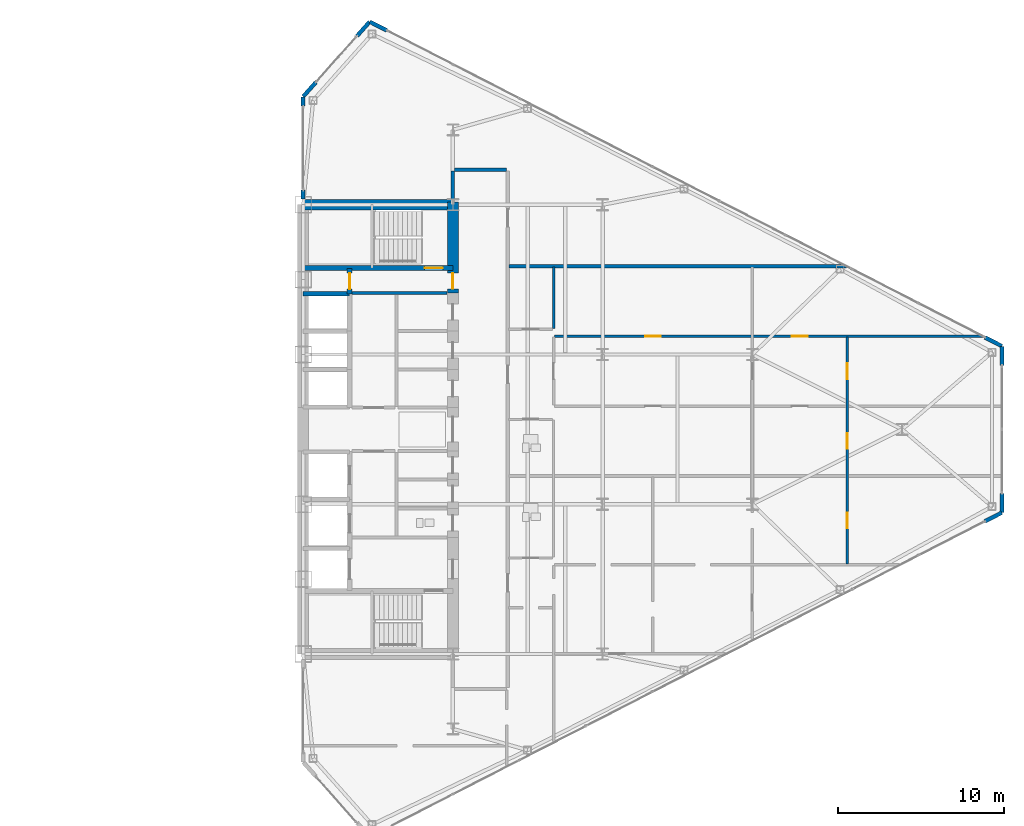
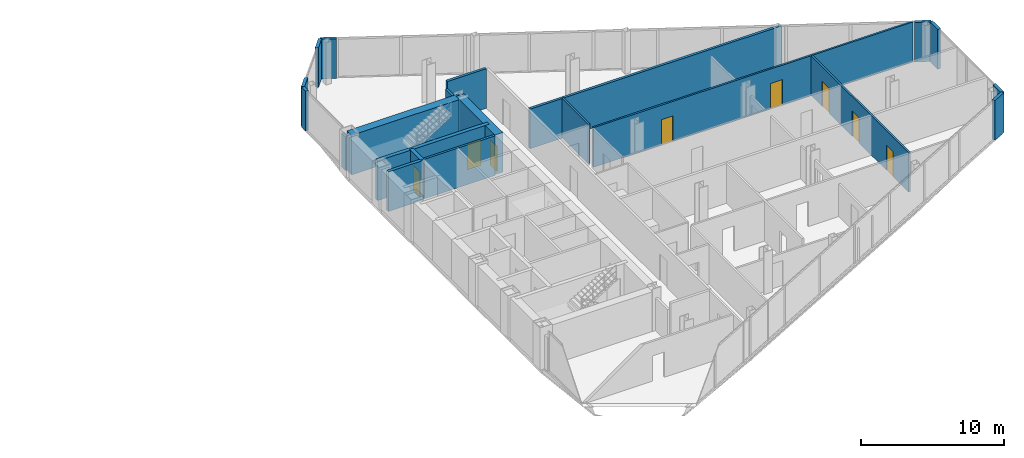
# One storey, part 21 of 24: 21 walls, 8 doors, 8 openings.
"""IFC4 building model written with IfcOpenShell, lengths in metres."""

from ifc_helpers import new_model, si_unit, direction, frame, frame_2d, origin, place, context, subcontext, project, spatial, rectangle, extrude, source, transform, mapped, material, layer, layer_set, type_object, type_shapes, element, fill, save


model = new_model("IFC4")

# Units and contexts
model_context = context("Model", 3, precision=1e-05, world=origin(), true_north=direction((0.0, 1.0)))
body_context = subcontext(model_context, "Body", "Model", "MODEL_VIEW")
ifc_project = project(units=[si_unit("LENGTHUNIT", "METRE"), si_unit("AREAUNIT", "SQUARE_METRE"), si_unit("VOLUMEUNIT", "CUBIC_METRE"), si_unit("PLANEANGLEUNIT", "RADIAN"), si_unit("MASSUNIT", "GRAM", prefix="KILO")], contexts=[model_context])

# Site, building, storey
site_placement = place(None, origin())
site = spatial("IfcSite", under=ifc_project, at=site_placement, CompositionType="ELEMENT")
building_placement = place(site_placement, origin())
building = spatial("IfcBuilding", under=site, at=building_placement, Name="Seokmaru Belvedere", CompositionType="ELEMENT")
storey_placement = place(building_placement, frame((0.0, 0.0, 121.199951171875)))
storey = spatial("IfcBuildingStorey", under=building, at=storey_placement, Name="L32", CompositionType="ELEMENT", Elevation=121.199951171875)

# Wall, openings, doors
ifc_material_1 = material(Name="Fire-Rated Gypsum Shaftwall")
ifc_layer_1 = layer(ifc_material_1, 0.14990234375)
ifc_layer_set_1 = layer_set([ifc_layer_1], Name="Fire-Rated Gypsum Shaftwall")
wall_type_1 = type_object("IfcWallType", Name="Apartment Fire-Acoustic Room Partition 150", PredefinedType="PARTITIONING", material=ifc_layer_set_1)
wall_1_placement = place(storey_placement, frame((42.60009765625, 5.60009765625, 0.0), z_axis=(0.0, 0.0, 1.0), x_axis=(1.0, 0.0, 0.0)))
wall_1 = element("IfcWall", 1, at=wall_1_placement, inside=storey, type_object=wall_type_1, Name="L32 Interior Partition 017", PredefinedType="PARTITIONING", context=body_context, shape_type="SweptSolid", body=[
    extrude(rectangle(XDim=25.765869140625, YDim=0.14990234375, at=frame_2d((12.8828125, 0.0))), origin(), (0.0, 0.0, 1.0), 3.380126953125),
])
opening_1_placement = place(wall_1_placement, frame((5.449951171875, 0.0, 0.0)))
opening_1 = element("IfcOpeningElement", 2, at=opening_1_placement, cuts=wall_1, Name="Opening D05", PredefinedType="OPENING", context=body_context, shape_type="SweptSolid", body=[
    extrude(rectangle(XDim=0.949951171875, YDim=2.14990234375, at=frame_2d((0.47509765625, 1.074951171875))), frame((0.0, 0.0849609375, 0.0), z_axis=(0.0, -1.0, 0.0), x_axis=(1.0, 0.0, 0.0)), (0.0, 0.0, 1.0), 0.169921875),
])
opening_2_placement = place(wall_1_placement, frame((14.27490234375, 0.0, 0.0)))
opening_2 = element("IfcOpeningElement", 3, at=opening_2_placement, cuts=wall_1, Name="Opening D05", PredefinedType="OPENING", context=body_context, shape_type="SweptSolid", body=[
    extrude(rectangle(XDim=0.949951171875, YDim=2.14990234375, at=frame_2d((0.47509765625, 1.074951171875))), frame((0.0, 0.0849609375, 0.0), z_axis=(0.0, -1.0, 0.0), x_axis=(1.0, 0.0, 0.0)), (0.0, 0.0, 1.0), 0.169921875),
])
ifc_material_2 = material(Name="Engineered White Oak Timber", Category="wood")
door_type_1 = type_object("IfcDoorType", Name="Apartment Interior Fire-Rated Oak Door 950x2150", OperationType="NOTDEFINED", PredefinedType="DOOR", material=ifc_material_2)
shared_shape_1 = source(origin(), body_context, "Body", "SweptSolid", [
    extrude(rectangle(XDim=0.949951171875, YDim=2.14990234375, at=frame_2d((0.47509765625, 1.074951171875))), frame((0.0, 0.02490234375, 0.0), z_axis=(0.0, -1.0, 0.0), x_axis=(1.0, 0.0, 0.0)), (0.0, 0.0, 1.0), 0.050048828125),
])
type_shapes(door_type_1, [shared_shape_1])
door_1_placement = place(opening_1_placement, origin())
door_1 = element("IfcDoor", 4, at=door_1_placement, inside=storey, type_object=door_type_1, Name="L32 Interior Door 048", OperationType="SINGLE_SWING_LEFT", OverallHeight=2.14990234375, OverallWidth=0.949951171875, PredefinedType="DOOR", context=body_context, shape_type="MappedRepresentation", body=[
    mapped(shared_shape_1, transform((0.0, 0.0, 0.0), scale=1.0)),
])
fill(opening_1, door_1)
door_2_placement = place(opening_2_placement, origin())
door_2 = element("IfcDoor", 5, at=door_2_placement, inside=storey, type_object=door_type_1, Name="L32 Interior Door 052", OperationType="SINGLE_SWING_LEFT", OverallHeight=2.14990234375, OverallWidth=0.949951171875, PredefinedType="DOOR", context=body_context, shape_type="MappedRepresentation", body=[
    mapped(shared_shape_1, transform((0.0, 0.0, 0.0), scale=1.0)),
])
fill(opening_2, door_2)

# Wall
wall_2_placement = place(storey_placement, frame((42.550048828125, 6.072021484375, 0.0), z_axis=(0.0, 0.0, 1.0), x_axis=(0.0, 1.0, 0.0)))
element("IfcWall", 6, at=wall_2_placement, inside=storey, type_object=wall_type_1, Name="L32 Interior Partition 044", PredefinedType="PARTITIONING", context=body_context, shape_type="SweptSolid", body=[
    extrude(rectangle(XDim=3.677978515625, YDim=0.14990234375, at=frame_2d((1.8388671875, 0.0))), origin(), (0.0, 0.0, 1.0), 3.380126953125),
])

# Wall, openings, doors
wall_3_placement = place(storey_placement, frame((60.199951171875, -8.093017578125, 0.0), z_axis=(0.0, 0.0, 1.0), x_axis=(0.0, 1.0, 0.0)))
wall_3 = element("IfcWall", 7, at=wall_3_placement, inside=storey, type_object=wall_type_1, Name="L32 Interior Partition 047", PredefinedType="PARTITIONING", context=body_context, shape_type="SweptSolid", body=[
    extrude(rectangle(XDim=13.64306640625, YDim=0.14990234375, at=frame_2d((6.821533203125, 0.0))), origin(), (0.0, 0.0, 1.0), 3.380126953125),
])
opening_3_placement = place(wall_3_placement, frame((2.146484375, 0.0, 0.0)))
opening_3 = element("IfcOpeningElement", 8, at=opening_3_placement, cuts=wall_3, Name="Opening D05", PredefinedType="OPENING", context=body_context, shape_type="SweptSolid", body=[
    extrude(rectangle(XDim=0.949951171875, YDim=2.14990234375, at=frame_2d((0.47509765625, 1.074951171875))), frame((0.0, 0.0849609375, 0.0), z_axis=(0.0, -1.0, 0.0), x_axis=(1.0, 0.0, 0.0)), (0.0, 0.0, 1.0), 0.169921875),
])
opening_4_placement = place(wall_3_placement, frame((6.91796875, 0.0, 0.0)))
opening_4 = element("IfcOpeningElement", 9, at=opening_4_placement, cuts=wall_3, Name="Opening D05", PredefinedType="OPENING", context=body_context, shape_type="SweptSolid", body=[
    extrude(rectangle(XDim=0.949951171875, YDim=2.14990234375, at=frame_2d((0.47509765625, 1.074951171875))), frame((0.0, 0.0849609375, 0.0), z_axis=(0.0, -1.0, 0.0), x_axis=(1.0, 0.0, 0.0)), (0.0, 0.0, 1.0), 0.169921875),
])
opening_5_placement = place(wall_3_placement, frame((11.117919921875, 0.0, 0.0)))
opening_5 = element("IfcOpeningElement", 10, at=opening_5_placement, cuts=wall_3, Name="Opening D05", PredefinedType="OPENING", context=body_context, shape_type="SweptSolid", body=[
    extrude(rectangle(XDim=0.949951171875, YDim=2.14990234375, at=frame_2d((0.47509765625, 1.074951171875))), frame((0.0, 0.0849609375, 0.0), z_axis=(0.0, -1.0, 0.0), x_axis=(1.0, 0.0, 0.0)), (0.0, 0.0, 1.0), 0.169921875),
])
door_3_placement = place(opening_3_placement, origin())
door_3 = element("IfcDoor", 11, at=door_3_placement, inside=storey, type_object=door_type_1, Name="L32 Interior Door 039", OperationType="SINGLE_SWING_LEFT", OverallHeight=2.14990234375, OverallWidth=0.949951171875, PredefinedType="DOOR", context=body_context, shape_type="MappedRepresentation", body=[
    mapped(shared_shape_1, transform((0.0, 0.0, 0.0), scale=1.0)),
])
fill(opening_3, door_3)
door_4_placement = place(opening_4_placement, origin())
door_4 = element("IfcDoor", 12, at=door_4_placement, inside=storey, type_object=door_type_1, Name="L32 Interior Door 050", OperationType="SINGLE_SWING_LEFT", OverallHeight=2.14990234375, OverallWidth=0.949951171875, PredefinedType="DOOR", context=body_context, shape_type="MappedRepresentation", body=[
    mapped(shared_shape_1, transform((0.0, 0.0, 0.0), scale=1.0)),
])
fill(opening_4, door_4)
door_5_placement = place(opening_5_placement, origin())
door_5 = element("IfcDoor", 13, at=door_5_placement, inside=storey, type_object=door_type_1, Name="L32 Interior Door 051", OperationType="SINGLE_SWING_LEFT", OverallHeight=2.14990234375, OverallWidth=0.949951171875, PredefinedType="DOOR", context=body_context, shape_type="MappedRepresentation", body=[
    mapped(shared_shape_1, transform((0.0, 0.0, 0.0), scale=1.0)),
])
fill(opening_5, door_5)

# Walls
ifc_layer_2 = layer(ifc_material_1, 0.179931640625)
ifc_layer_set_2 = layer_set([ifc_layer_2], Name="Fire-Rated Gypsum Shaftwall")
wall_type_2 = type_object("IfcWallType", Name="Core Service Fire Partition 180", PredefinedType="PARTITIONING", material=ifc_layer_set_2)
wall_4_placement = place(storey_placement, frame((30.449951171875, 8.199951171875, 0.0), z_axis=(0.0, 0.0, 1.0), x_axis=(1.0, 0.0, 0.0)))
element("IfcWall", 14, at=wall_4_placement, inside=storey, type_object=wall_type_2, Name="L32 East Smokeproof Vestibule Partition", PredefinedType="PARTITIONING", context=body_context, shape_type="SweptSolid", body=[
    extrude(rectangle(XDim=5.699951171875, YDim=0.179931640625, at=frame_2d((2.85009765625, 0.0))), origin(), (0.0, 0.0, 1.0), 3.380126953125),
])
ifc_material_3 = material(Name="Concrete C50 (50 MPa)", Category="concrete")
ifc_layer_3 = layer(ifc_material_3, 0.25)
ifc_layer_set_3 = layer_set([ifc_layer_3], Name="Concrete C50 (50 MPa)")
wall_type_3 = type_object("IfcWallType", Name="Hoistway Transverse Concrete Divider Wall 250", PredefinedType="SHEAR", material=ifc_layer_set_3)
wall_5_placement = place(storey_placement, frame((27.5, 8.14990234375, 0.0), z_axis=(0.0, 0.0, 1.0), x_axis=(1.0, 0.0, 0.0)))
element("IfcWall", 15, at=wall_5_placement, inside=storey, type_object=wall_type_3, Name="L32 East Hoistway Divider Core Wall 7", PredefinedType="SHEAR", context=body_context, shape_type="SweptSolid", body=[
    extrude(rectangle(XDim=2.800048828125, YDim=0.25, at=frame_2d((1.39990234375, 0.0))), origin(), (0.0, 0.0, 1.0), 3.380126953125),
])
ifc_layer_4 = layer(ifc_material_1, 0.199951171875)
ifc_layer_set_4 = layer_set([ifc_layer_4], Name="Fire-Rated Gypsum Shaftwall")
wall_type_4 = type_object("IfcWallType", Name="Inter-Tenancy Fire Compartment Partition 200", PredefinedType="PARTITIONING", material=ifc_layer_set_4)
wall_6_placement = place(storey_placement, frame((39.8798828125, 9.800048828125, 0.0), z_axis=(0.0, 0.0, 1.0), x_axis=(1.0, 0.0, 0.0)))
element("IfcWall", 16, at=wall_6_placement, inside=storey, type_object=wall_type_4, Name="L32 Interior Partition 021", PredefinedType="PARTITIONING", context=body_context, shape_type="SweptSolid", body=[
    extrude(rectangle(XDim=20.277099609375, YDim=0.199951171875, at=frame_2d((10.138671875, 0.0))), origin(), (0.0, 0.0, 1.0), 3.380126953125),
])
wall_7_placement = place(storey_placement, frame((36.5849609375, 15.60009765625, 0.0), z_axis=(0.0, 0.0, 1.0), x_axis=(1.0, 0.0, 0.0)))
element("IfcWall", 17, at=wall_7_placement, inside=storey, type_object=wall_type_4, Name="L32 Interior Partition 025", PredefinedType="PARTITIONING", context=body_context, shape_type="SweptSolid", body=[
    extrude(rectangle(XDim=3.130126953125, YDim=0.199951171875, at=frame_2d((1.56494140625, 0.0))), origin(), (0.0, 0.0, 1.0), 3.380126953125),
])
wall_8_placement = place(storey_placement, frame((36.5, 13.830078125, 0.0), z_axis=(0.0, 0.0, 1.0), x_axis=(0.0, 1.0, 0.0)))
element("IfcWall", 18, at=wall_8_placement, inside=storey, type_object=wall_type_4, Name="L32 Interior Partition 038", PredefinedType="PARTITIONING", context=body_context, shape_type="SweptSolid", body=[
    extrude(rectangle(XDim=1.684814453125, YDim=0.199951171875, at=frame_2d((0.84228515625, 0.0))), origin(), (0.0, 0.0, 1.0), 2.780029296875),
])

# Wall, opening, door
ifc_layer_5 = layer(ifc_material_3, 0.300048828125)
ifc_layer_set_5 = layer_set([ifc_layer_5], Name="Concrete C50 (50 MPa)")
wall_type_5 = type_object("IfcWallType", Name="Internal Core Stair and Hoistway Wall 300", PredefinedType="SHEAR", material=ifc_layer_set_5)
wall_9_placement = place(storey_placement, frame((27.5, 9.699951171875, 0.0), z_axis=(0.0, 0.0, 1.0), x_axis=(1.0, 0.0, 0.0)))
wall_9 = element("IfcWall", 19, at=wall_9_placement, inside=storey, type_object=wall_type_5, Name="L32 East Stair ST-2 Enclosure Wall", PredefinedType="SHEAR", context=body_context, shape_type="SweptSolid", body=[
    extrude(rectangle(XDim=9.0, YDim=0.300048828125, at=frame_2d((4.5, 0.0))), origin(), (0.0, 0.0, 1.0), 3.380126953125),
])
opening_6_placement = place(wall_9_placement, frame((7.300048828125, 0.0, 0.0)))
opening_6 = element("IfcOpeningElement", 20, at=opening_6_placement, cuts=wall_9, Name="Opening D01", PredefinedType="OPENING", context=body_context, shape_type="SweptSolid", body=[
    extrude(rectangle(XDim=1.10009765625, YDim=2.199951171875, at=frame_2d((0.550048828125, 1.10009765625))), frame((0.0, 0.16015625, 0.0), z_axis=(0.0, -1.0, 0.0), x_axis=(1.0, 0.0, 0.0)), (0.0, 0.0, 1.0), 0.320068359375),
])
ifc_material_4 = material(Name="Fire-Rated Steel Leaf", Category="steel")
door_type_2 = type_object("IfcDoorType", Name="Special Escape Stair Smokeproof Fire Door 1100x2200", OperationType="NOTDEFINED", PredefinedType="DOOR", material=ifc_material_4)
shared_shape_2 = source(origin(), body_context, "Body", "SweptSolid", [
    extrude(rectangle(XDim=1.10009765625, YDim=2.199951171875, at=frame_2d((0.550048828125, 1.10009765625))), frame((0.0, 0.02490234375, 0.0), z_axis=(0.0, -1.0, 0.0), x_axis=(1.0, 0.0, 0.0)), (0.0, 0.0, 1.0), 0.050048828125),
])
type_shapes(door_type_2, [shared_shape_2])
door_6_placement = place(opening_6_placement, origin())
door_6 = element("IfcDoor", 21, at=door_6_placement, inside=storey, type_object=door_type_2, Name="L32 East Special Escape Stair ST-2 Door", OperationType="SINGLE_SWING_LEFT", OverallHeight=2.199951171875, OverallWidth=1.10009765625, PredefinedType="DOOR", context=body_context, shape_type="MappedRepresentation", body=[
    mapped(shared_shape_2, transform((0.0, 0.0, 0.0), scale=1.0)),
])
fill(opening_6, door_6)

wall_10_placement = place(storey_placement, frame((30.300048828125, 8.14990234375, 0.0), z_axis=(0.0, 0.0, 1.0), x_axis=(0.0, 1.0, 0.0)))
wall_10 = element("IfcWall", 22, at=wall_10_placement, inside=storey, type_object=wall_type_5, Name="L32 East Electrical Riser Front Wall", PredefinedType="SHEAR", context=body_context, shape_type="SweptSolid", body=[
    extrude(rectangle(XDim=1.530029296875, YDim=0.300048828125, at=frame_2d((0.76513671875, 0.0))), origin(), (0.0, 0.0, 1.0), 3.380126953125),
])
opening_7_placement = place(wall_10_placement, frame((0.284912109375, 0.0, 0.0)))
opening_7 = element("IfcOpeningElement", 23, at=opening_7_placement, cuts=wall_10, Name="Opening D04", PredefinedType="OPENING", context=body_context, shape_type="SweptSolid", body=[
    extrude(rectangle(XDim=0.949951171875, YDim=2.14990234375, at=frame_2d((0.47509765625, 1.074951171875))), frame((0.0, 0.16015625, 0.0), z_axis=(0.0, -1.0, 0.0), x_axis=(1.0, 0.0, 0.0)), (0.0, 0.0, 1.0), 0.320068359375),
])
door_type_3 = type_object("IfcDoorType", Name="Core Service Room Fire Door 950x2150", OperationType="NOTDEFINED", PredefinedType="DOOR", material=ifc_material_4)
shared_shape_3 = source(origin(), body_context, "Body", "SweptSolid", [
    extrude(rectangle(XDim=0.949951171875, YDim=2.14990234375, at=frame_2d((0.47509765625, 1.074951171875))), frame((0.0, 0.02490234375, 0.0), z_axis=(0.0, -1.0, 0.0), x_axis=(1.0, 0.0, 0.0)), (0.0, 0.0, 1.0), 0.050048828125),
])
type_shapes(door_type_3, [shared_shape_3])
door_7_placement = place(opening_7_placement, origin())
door_7 = element("IfcDoor", 24, at=door_7_placement, inside=storey, type_object=door_type_3, Name="L32 East Electrical Riser Access Door", OperationType="SINGLE_SWING_RIGHT", OverallHeight=2.14990234375, OverallWidth=0.949951171875, PredefinedType="DOOR", context=body_context, shape_type="MappedRepresentation", body=[
    mapped(shared_shape_3, transform((0.0, 0.0, 0.0), scale=1.0)),
])
fill(opening_7, door_7)

# Wall
ifc_material_5 = material(Name="Concrete C60 (60 MPa)", Category="concrete")
ifc_layer_6 = layer(ifc_material_5, 0.64990234375)
ifc_layer_set_6 = layer_set([ifc_layer_6], Name="Concrete C60 (60 MPa)")
wall_type_6 = type_object("IfcWallType", Name="Mid-Low Reinforced Concrete Core Wall 650", PredefinedType="SHEAR", material=ifc_layer_set_6)
wall_11_placement = place(storey_placement, frame((27.5, 13.5, 0.0), z_axis=(0.0, 0.0, 1.0), x_axis=(1.0, 0.0, 0.0)))
element("IfcWall", 25, at=wall_11_placement, inside=storey, type_object=wall_type_6, Name="L32 East North Core Wall", PredefinedType="SHEAR", context=body_context, shape_type="SweptSolid", body=[
    extrude(rectangle(XDim=9.0, YDim=0.64990234375, at=frame_2d((4.5, 0.0))), origin(), (0.0, 0.0, 1.0), 3.380126953125),
])

# Wall, opening, door
wall_12_placement = place(storey_placement, frame((36.5, 8.199951171875, 0.0), z_axis=(0.0, 0.0, 1.0), x_axis=(0.0, 1.0, 0.0)))
wall_12 = element("IfcWall", 26, at=wall_12_placement, inside=storey, type_object=wall_type_6, Name="L32 East West Core Wall VST", PredefinedType="SHEAR", context=body_context, shape_type="SweptSolid", body=[
    extrude(rectangle(XDim=5.449951171875, YDim=0.64990234375, at=frame_2d((2.72509765625, 0.0))), origin(), (0.0, 0.0, 1.0), 3.380126953125),
])
opening_8_placement = place(wall_12_placement, frame((0.2451171875, 0.0, 0.0)))
opening_8 = element("IfcOpeningElement", 27, at=opening_8_placement, cuts=wall_12, Name="Opening D04", PredefinedType="OPENING", context=body_context, shape_type="SweptSolid", body=[
    extrude(rectangle(XDim=0.949951171875, YDim=2.14990234375, at=frame_2d((0.47509765625, 1.074951171875))), frame((0.0, 0.3349609375, 0.0), z_axis=(0.0, -1.0, 0.0), x_axis=(1.0, 0.0, 0.0)), (0.0, 0.0, 1.0), 0.669921875),
])
door_8_placement = place(opening_8_placement, origin())
door_8 = element("IfcDoor", 28, at=door_8_placement, inside=storey, type_object=door_type_3, Name="L32 East Smokeproof Vestibule Door", OperationType="SINGLE_SWING_LEFT", OverallHeight=2.14990234375, OverallWidth=0.949951171875, PredefinedType="DOOR", context=body_context, shape_type="MappedRepresentation", body=[
    mapped(shared_shape_3, transform((0.0, 0.0, 0.0), scale=1.0)),
])
fill(opening_8, door_8)

# Walls
ifc_material_6 = material(Name="Anodised Bronze Aluminium", Category="aluminium")
ifc_layer_7 = layer(ifc_material_6, 0.239990234375)
ifc_layer_set_7 = layer_set([ifc_layer_7], Name="Anodised Bronze Aluminium")
wall_type_7 = type_object("IfcWallType", Name="Tower Corner Spandrel Closure Wall 240", PredefinedType="SOLIDWALL", material=ifc_layer_set_7)
wall_13_placement = place(storey_placement, frame((68.476806640625, -5.52490234375, 0.0), z_axis=(0.0, 0.0, 1.0), x_axis=(0.889797395748, 0.456355776255, 0.0)))
element("IfcWall", 29, at=wall_13_placement, inside=storey, type_object=wall_type_7, Name="L32 E Corner Closure Pier 1B", PredefinedType="SOLIDWALL", context=body_context, shape_type="SweptSolid", body=[
    extrude(rectangle(XDim=1.14013671875, YDim=0.239990234375, at=frame_2d((0.570068359375, 0.0))), origin(), (0.0, 0.0, 1.0), 3.380126953125),
])
for number, where, z_axis, x_axis, name in (
    (30, (69.5, -4.989990234375, 0.0), (0.0, 0.0, 1.0), (0.0, 1.0, 0.0), "L32 E Corner Closure Pier 2A"),
    (31, (69.5, 3.85009765625, 0.0), (0.0, 0.0, 1.0), (0.0, 1.0, 0.0), "L32 E Corner Closure Pier 2B"),
):
    element("IfcWall", number, at=place(storey_placement, frame(where, z_axis=z_axis, x_axis=x_axis)), inside=storey, type_object=wall_type_7, Name=name, PredefinedType="SOLIDWALL", context=body_context, shape_type="SweptSolid", body=[
        extrude(rectangle(XDim=1.139892578125, YDim=0.239990234375, at=frame_2d((0.56982421875, 0.0))), origin(), (0.0, 0.0, 1.0), 3.380126953125),
    ])
for number, where, z_axis, x_axis, name in (
    (32, (69.4912109375, 5.004638671875, 0.0), (0.0, 0.0, 1.0), (-0.889797395748, 0.456355776255, 0.0), "L32 E Corner Closure Pier 3A"),
    (33, (32.523193359375, 23.97509765625, 0.0), (0.0, 0.0, 1.0), (-0.889797395748, 0.456355776255, 0.0), "L32 E Corner Closure Pier 3B"),
):
    element("IfcWall", number, at=place(storey_placement, frame(where, z_axis=z_axis, x_axis=x_axis)), inside=storey, type_object=wall_type_7, Name=name, PredefinedType="SOLIDWALL", context=body_context, shape_type="SweptSolid", body=[
        extrude(rectangle(XDim=1.14013671875, YDim=0.239990234375, at=frame_2d((0.570068359375, 0.0))), origin(), (0.0, 0.0, 1.0), 3.380126953125),
    ])
for number, where, z_axis, x_axis, name in (
    (34, (31.493408203125, 24.492431640625, 0.0), (0.0, 0.0, 1.0), (-0.664337252513, -0.747432950119, 0.0), "L32 E Corner Closure Pier 4A"),
    (35, (28.263916015625, 20.859619140625, 0.0), (0.0, 0.0, 1.0), (-0.664337252513, -0.747432950119, 0.0), "L32 E Corner Closure Pier 4B"),
):
    element("IfcWall", number, at=place(storey_placement, frame(where, z_axis=z_axis, x_axis=x_axis)), inside=storey, type_object=wall_type_7, Name=name, PredefinedType="SOLIDWALL", context=body_context, shape_type="SweptSolid", body=[
        extrude(rectangle(XDim=1.139892578125, YDim=0.239990234375, at=frame_2d((0.56982421875, 0.0))), origin(), (0.0, 0.0, 1.0), 3.380126953125),
    ])
wall_14_placement = place(storey_placement, frame((27.5, 13.830078125, 0.0), z_axis=(0.0, 0.0, 1.0), x_axis=(0.0, 1.0, 0.0)))
element("IfcWall", 36, at=wall_14_placement, inside=storey, type_object=wall_type_7, Name="L32 E Spine Closure Pier 2A", PredefinedType="SOLIDWALL", context=body_context, shape_type="SweptSolid", body=[
    extrude(rectangle(XDim=0.5498046875, YDim=0.239990234375, at=frame_2d((0.27490234375, 0.0))), origin(), (0.0, 0.0, 1.0), 2.880126953125),
])
wall_15_placement = place(storey_placement, frame((27.5, 19.429931640625, 0.0), z_axis=(0.0, 0.0, 1.0), x_axis=(0.0, 1.0, 0.0)))
element("IfcWall", 37, at=wall_15_placement, inside=storey, type_object=wall_type_7, Name="L32 E Spine Closure Pier 2B", PredefinedType="SOLIDWALL", context=body_context, shape_type="SweptSolid", body=[
    extrude(rectangle(XDim=0.550048828125, YDim=0.239990234375, at=frame_2d((0.27490234375, 0.0))), origin(), (0.0, 0.0, 1.0), 3.380126953125),
])

save(model, "model.ifc")
